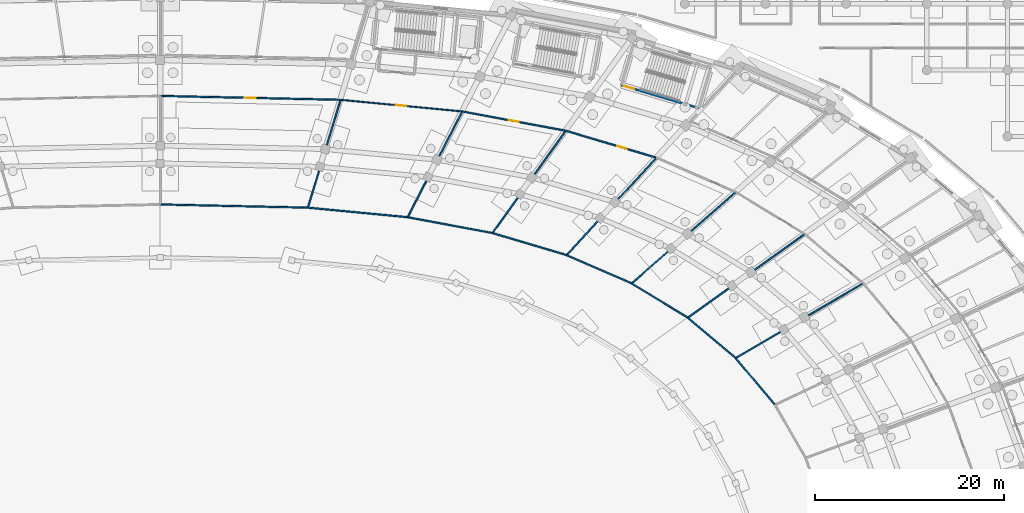
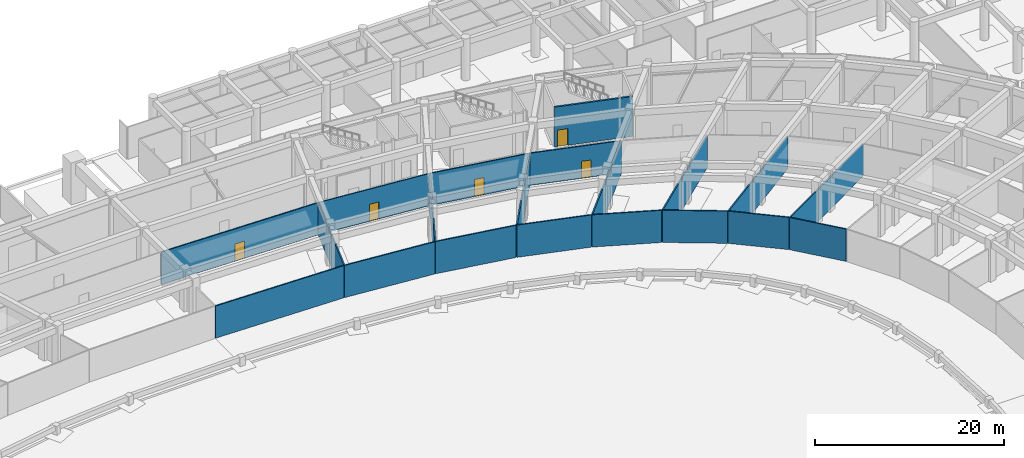
# One storey, part 60 of 88: 20 walls, 5 doors, 5 openings.
"""IFC4 building model written with IfcOpenShell, lengths in metres."""

from ifc_helpers import new_model, si_unit, direction, frame, frame_2d, origin, place, context, subcontext, project, spatial, rectangle, extrude, material, layer, layer_set, type_object, element, fill, save


model = new_model("IFC4")

# Units and contexts
model_context = context("Model", 3, precision=1e-05, world=origin(), true_north=direction((0.0, 1.0)))
body_context = subcontext(model_context, "Body", "Model", "MODEL_VIEW")
ifc_project = project(units=[si_unit("LENGTHUNIT", "METRE"), si_unit("AREAUNIT", "SQUARE_METRE"), si_unit("VOLUMEUNIT", "CUBIC_METRE"), si_unit("PLANEANGLEUNIT", "RADIAN"), si_unit("MASSUNIT", "GRAM", prefix="KILO")], contexts=[model_context])

# Site, building, storey
site_placement = place(None, origin())
site = spatial("IfcSite", under=ifc_project, at=site_placement, CompositionType="ELEMENT")
building_placement = place(site_placement, origin())
building = spatial("IfcBuilding", under=site, at=building_placement, Name="Mphavela Belvedere Stadium", CompositionType="ELEMENT")
storey_placement = place(building_placement, origin())
storey = spatial("IfcBuildingStorey", under=building, at=storey_placement, Name="L00", CompositionType="ELEMENT", Elevation=0.0)

# Wall, opening, door
ifc_material_1 = material(Name="Concrete C40/50", Category="concrete")
ifc_layer_1 = layer(ifc_material_1, 0.219970703125)
ifc_layer_set_1 = layer_set([ifc_layer_1], Name="Concrete C40/50")
wall_type_1 = type_object("IfcWallType", Name="WAL-CORE-SHEAR-220", PredefinedType="SHEAR", material=ifc_layer_set_1)
wall_1_placement = place(storey_placement, frame((163.6630859375, 151.416015625, 0.0), z_axis=(0.0, 0.0, 1.0), x_axis=(0.958665631999, -0.284535069937, 0.0)))
wall_1 = element("IfcWall", 1, at=wall_1_placement, inside=storey, type_object=wall_type_1, Name="Core P01 shear wall L00 front", PredefinedType="SHEAR", context=body_context, shape_type="SweptSolid", body=[
    extrude(rectangle(XDim=8.5400390625, YDim=0.219970703125, at=frame_2d((4.27001953125, 0.0))), origin(), (0.0, 0.0, 1.0), 5.14990234375),
])
opening_1_placement = place(wall_1_placement, frame((0.300048828125, 0.0, 0.0)))
opening_1 = element("IfcOpeningElement", 2, at=opening_1_placement, cuts=wall_1, Name="Opening SD-067", PredefinedType="OPENING", context=body_context, shape_type="SweptSolid", body=[
    extrude(rectangle(XDim=1.14990234375, YDim=2.14990234375, at=frame_2d((0.574951171875, 1.074951171875))), frame((0.0, 0.1201171875, 0.0), z_axis=(0.0, -1.0, 0.0), x_axis=(1.0, 0.0, 0.0)), (0.0, 0.0, 1.0), 0.239990234375),
])
ifc_material_2 = material(Name="Steel acoustic fire-resisting stair doorset", Category="steel")
door_type_1 = type_object("IfcDoorType", Name="DR-STAIR-FIRE-1150", OperationType="NOTDEFINED", PredefinedType="DOOR", material=ifc_material_2)
door_1_placement = place(opening_1_placement, origin())
door_1 = element("IfcDoor", 3, at=door_1_placement, inside=storey, type_object=door_type_1, Name="Escape stair fire door P01 L00", OperationType="SINGLE_SWING_LEFT", OverallHeight=2.14990234375, OverallWidth=1.14990234375, PredefinedType="DOOR", context=body_context, shape_type="SweptSolid", body=[
    extrude(rectangle(XDim=1.14990234375, YDim=2.14990234375, at=frame_2d((0.574951171875, 1.074951171875))), frame((0.0, 0.02490234375, 0.0), z_axis=(0.0, -1.0, 0.0), x_axis=(1.0, 0.0, 0.0)), (0.0, 0.0, 1.0), 0.050048828125),
])
fill(opening_1, door_1)

ifc_material_3 = material(Name="Moisture-resistant sanitary partition assembly")
ifc_layer_2 = layer(ifc_material_3, 0.125)
ifc_layer_set_2 = layer_set([ifc_layer_2], Name="Moisture-resistant sanitary partition assembly")
wall_type_2 = type_object("IfcWallType", Name="WAL-PART-125", PredefinedType="PARTITIONING", material=ifc_layer_set_2)
wall_2_placement = place(storey_placement, frame((134.034912109375, 149.8623046875, 0.0), z_axis=(0.0, 0.0, 1.0), x_axis=(0.995485111947, -0.094917816515, 0.0)))
wall_2 = element("IfcWall", 4, at=wall_2_placement, inside=storey, type_object=wall_type_2, Name="Room L00-61 corridor partition", PredefinedType="PARTITIONING", context=body_context, shape_type="SweptSolid", body=[
    extrude(rectangle(XDim=12.822021484375, YDim=0.125, at=frame_2d((6.4111328125, 0.0))), origin(), (0.0, 0.0, 1.0), 4.14990234375),
])
opening_2_placement = place(wall_2_placement, frame((5.861083984375, 0.0, 0.0)))
opening_2 = element("IfcOpeningElement", 5, at=opening_2_placement, cuts=wall_2, Name="Opening ID-018", PredefinedType="OPENING", context=body_context, shape_type="SweptSolid", body=[
    extrude(rectangle(XDim=1.10009765625, YDim=2.199951171875, at=frame_2d((0.550048828125, 1.10009765625))), frame((0.0, 0.072509765625, 0.0), z_axis=(0.0, -1.0, 0.0), x_axis=(1.0, 0.0, 0.0)), (0.0, 0.0, 1.0), 0.14501953125),
])
ifc_material_4 = material(Name="Hardwood acoustic timber doorset", Category="wood")
door_type_2 = type_object("IfcDoorType", Name="DR-INT-18", OperationType="NOTDEFINED", PredefinedType="DOOR", material=ifc_material_4)
door_2_placement = place(opening_2_placement, origin())
door_2 = element("IfcDoor", 6, at=door_2_placement, inside=storey, type_object=door_type_2, Name="Room L00-61 entrance door ID-018", OperationType="SINGLE_SWING_RIGHT", OverallHeight=2.199951171875, OverallWidth=1.10009765625, PredefinedType="DOOR", context=body_context, shape_type="SweptSolid", body=[
    extrude(rectangle(XDim=1.10009765625, YDim=2.199951171875, at=frame_2d((0.550048828125, 1.10009765625))), frame((0.0, 0.02490234375, 0.0), z_axis=(0.0, -1.0, 0.0), x_axis=(1.0, 0.0, 0.0)), (0.0, 0.0, 1.0), 0.050048828125),
])
fill(opening_2, door_2)

ifc_material_5 = material(Name="Acoustic gypsum stud partition assembly")
ifc_layer_3 = layer(ifc_material_5, 0.14990234375)
ifc_layer_set_3 = layer_set([ifc_layer_3], Name="Acoustic gypsum stud partition assembly")
wall_type_3 = type_object("IfcWallType", Name="WAL-PART-150", PredefinedType="PARTITIONING", material=ifc_layer_set_3)
wall_3_placement = place(storey_placement, frame((157.816650390625, 146.595703125, 0.0), z_axis=(0.0, 0.0, 1.0), x_axis=(0.958655809656, -0.284568161629, 0.0)))
wall_3 = element("IfcWall", 7, at=wall_3_placement, inside=storey, type_object=wall_type_3, Name="Room L00-57 corridor partition", PredefinedType="PARTITIONING", context=body_context, shape_type="SweptSolid", body=[
    extrude(rectangle(XDim=9.89111328125, YDim=0.14990234375, at=frame_2d((4.945556640625, 0.0))), origin(), (0.0, 0.0, 1.0), 4.14990234375),
])
opening_3_placement = place(wall_3_placement, frame((5.670166015625, 0.0, 0.0)))
opening_3 = element("IfcOpeningElement", 8, at=opening_3_placement, cuts=wall_3, Name="Opening ID-016", PredefinedType="OPENING", context=body_context, shape_type="SweptSolid", body=[
    extrude(rectangle(XDim=1.02001953125, YDim=2.199951171875, at=frame_2d((0.510009765625, 1.10009765625))), frame((0.0, 0.0849609375, 0.0), z_axis=(0.0, -1.0, 0.0), x_axis=(1.0, 0.0, 0.0)), (0.0, 0.0, 1.0), 0.169921875),
])
ifc_material_6 = material(Name="Hardwood acoustic timber doorset", Category="wood")
door_type_3 = type_object("IfcDoorType", Name="DR-INT-16", OperationType="NOTDEFINED", PredefinedType="DOOR", material=ifc_material_6)
door_3_placement = place(opening_3_placement, origin())
door_3 = element("IfcDoor", 9, at=door_3_placement, inside=storey, type_object=door_type_3, Name="Room L00-57 entrance door ID-016", OperationType="SINGLE_SWING_RIGHT", OverallHeight=2.199951171875, OverallWidth=1.02001953125, PredefinedType="DOOR", context=body_context, shape_type="SweptSolid", body=[
    extrude(rectangle(XDim=1.02001953125, YDim=2.199951171875, at=frame_2d((0.510009765625, 1.10009765625))), frame((0.0, 0.02490234375, 0.0), z_axis=(0.0, -1.0, 0.0), x_axis=(1.0, 0.0, 0.0)), (0.0, 0.0, 1.0), 0.050048828125),
])
fill(opening_3, door_3)

wall_4_placement = place(storey_placement, frame((146.883544921875, 148.634521484375, 0.0), z_axis=(0.0, 0.0, 1.0), x_axis=(0.983097372707, -0.183083466695, 0.0)))
wall_4 = element("IfcWall", 10, at=wall_4_placement, inside=storey, type_object=wall_type_3, Name="Room L00-59 corridor partition", PredefinedType="PARTITIONING", context=body_context, shape_type="SweptSolid", body=[
    extrude(rectangle(XDim=11.03466796875, YDim=0.14990234375, at=frame_2d((5.517333984375, 0.0))), origin(), (0.0, 0.0, 1.0), 4.14990234375),
])
opening_4_placement = place(wall_4_placement, frame((4.9873046875, 0.0, 0.0)))
opening_4 = element("IfcOpeningElement", 11, at=opening_4_placement, cuts=wall_4, Name="Opening ID-017", PredefinedType="OPENING", context=body_context, shape_type="SweptSolid", body=[
    extrude(rectangle(XDim=1.06005859375, YDim=2.199951171875, at=frame_2d((0.530029296875, 1.10009765625))), frame((0.0, 0.0849609375, 0.0), z_axis=(0.0, -1.0, 0.0), x_axis=(1.0, 0.0, 0.0)), (0.0, 0.0, 1.0), 0.169921875),
])
ifc_material_7 = material(Name="Hardwood acoustic timber doorset", Category="wood")
door_type_4 = type_object("IfcDoorType", Name="DR-INT-17", OperationType="NOTDEFINED", PredefinedType="DOOR", material=ifc_material_7)
door_4_placement = place(opening_4_placement, origin())
door_4 = element("IfcDoor", 12, at=door_4_placement, inside=storey, type_object=door_type_4, Name="Room L00-59 entrance door ID-017", OperationType="SINGLE_SWING_LEFT", OverallHeight=2.199951171875, OverallWidth=1.06005859375, PredefinedType="DOOR", context=body_context, shape_type="SweptSolid", body=[
    extrude(rectangle(XDim=1.06005859375, YDim=2.199951171875, at=frame_2d((0.530029296875, 1.10009765625))), frame((0.0, 0.02490234375, 0.0), z_axis=(0.0, -1.0, 0.0), x_axis=(1.0, 0.0, 0.0)), (0.0, 0.0, 1.0), 0.050048828125),
])
fill(opening_4, door_4)

wall_5_placement = place(storey_placement, frame((115.0400390625, 150.273681640625, 0.0), z_axis=(0.0, 0.0, 1.0), x_axis=(0.999768266483, -0.021527037261, 0.0)))
wall_5 = element("IfcWall", 13, at=wall_5_placement, inside=storey, type_object=wall_type_3, Name="Room L00-63 corridor partition", PredefinedType="PARTITIONING", context=body_context, shape_type="SweptSolid", body=[
    extrude(rectangle(XDim=18.9169921875, YDim=0.14990234375, at=frame_2d((9.45849609375, 0.0))), origin(), (0.0, 0.0, 1.0), 4.14990234375),
])
opening_5_placement = place(wall_5_placement, frame((8.888427734375, 0.0, 0.0)))
opening_5 = element("IfcOpeningElement", 14, at=opening_5_placement, cuts=wall_5, Name="Opening ID-019", PredefinedType="OPENING", context=body_context, shape_type="SweptSolid", body=[
    extrude(rectangle(XDim=1.139892578125, YDim=2.199951171875, at=frame_2d((0.56982421875, 1.10009765625))), frame((0.0, 0.0849609375, 0.0), z_axis=(0.0, -1.0, 0.0), x_axis=(1.0, 0.0, 0.0)), (0.0, 0.0, 1.0), 0.169921875),
])
ifc_material_8 = material(Name="Hardwood acoustic timber doorset", Category="wood")
door_type_5 = type_object("IfcDoorType", Name="DR-INT-19", OperationType="NOTDEFINED", PredefinedType="DOOR", material=ifc_material_8)
door_5_placement = place(opening_5_placement, origin())
door_5 = element("IfcDoor", 15, at=door_5_placement, inside=storey, type_object=door_type_5, Name="Room L00-63 entrance door ID-019", OperationType="SINGLE_SWING_LEFT", OverallHeight=2.199951171875, OverallWidth=1.139892578125, PredefinedType="DOOR", context=body_context, shape_type="SweptSolid", body=[
    extrude(rectangle(XDim=1.139892578125, YDim=2.199951171875, at=frame_2d((0.56982421875, 1.10009765625))), frame((0.0, 0.02490234375, 0.0), z_axis=(0.0, -1.0, 0.0), x_axis=(1.0, 0.0, 0.0)), (0.0, 0.0, 1.0), 0.050048828125),
])
fill(opening_5, door_5)

# Walls
wall_6_placement = place(storey_placement, frame((179.841552734375, 117.73583984375, 0.0), z_axis=(0.0, 0.0, 1.0), x_axis=(-0.645182313149, 0.764028653127, 0.0)))
element("IfcWall", 16, at=wall_6_placement, inside=storey, type_object=wall_type_3, Name="Room divider partition L00-0014", PredefinedType="PARTITIONING", context=body_context, shape_type="SweptSolid", body=[
    extrude(rectangle(XDim=6.353759765625, YDim=0.14990234375, at=frame_2d((3.1767578125, 0.0))), origin(), (0.0, 0.0, 1.0), 4.14990234375),
])
wall_7_placement = place(storey_placement, frame((175.7421875, 122.59033203125, 0.0), z_axis=(0.0, 0.0, 1.0), x_axis=(0.86252080612, 0.506021599351, 0.0)))
element("IfcWall", 17, at=wall_7_placement, inside=storey, type_object=wall_type_3, Name="Room divider partition L00-0015", PredefinedType="PARTITIONING", context=body_context, shape_type="SweptSolid", body=[
    extrude(rectangle(XDim=15.594970703125, YDim=0.14990234375, at=frame_2d((7.79736328125, 0.0))), origin(), (0.0, 0.0, 1.0), 4.14990234375),
])
wall_8_placement = place(storey_placement, frame((175.685302734375, 122.649658203125, 0.0), z_axis=(0.0, 0.0, 1.0), x_axis=(-0.764256908649, 0.644911914592, 0.0)))
element("IfcWall", 18, at=wall_8_placement, inside=storey, type_object=wall_type_3, Name="Room divider partition L00-0017", PredefinedType="PARTITIONING", context=body_context, shape_type="SweptSolid", body=[
    extrude(rectangle(XDim=6.525634765625, YDim=0.14990234375, at=frame_2d((3.2626953125, 0.0))), origin(), (0.0, 0.0, 1.0), 4.14990234375),
])
wall_9_placement = place(storey_placement, frame((170.697998046875, 126.858154296875, 0.0), z_axis=(0.0, 0.0, 1.0), x_axis=(0.812883175227, 0.582426770876, 0.0)))
element("IfcWall", 19, at=wall_9_placement, inside=storey, type_object=wall_type_3, Name="Room divider partition L00-0018", PredefinedType="PARTITIONING", context=body_context, shape_type="SweptSolid", body=[
    extrude(rectangle(XDim=15.167236328125, YDim=0.14990234375, at=frame_2d((7.58349609375, 0.0))), origin(), (0.0, 0.0, 1.0), 4.14990234375),
])
wall_10_placement = place(storey_placement, frame((170.631103515625, 126.90869140625, 0.0), z_axis=(0.0, 0.0, 1.0), x_axis=(-0.8543356111, 0.519721717467, 0.0)))
element("IfcWall", 20, at=wall_10_placement, inside=storey, type_object=wall_type_3, Name="Room divider partition L00-0020", PredefinedType="PARTITIONING", context=body_context, shape_type="SweptSolid", body=[
    extrude(rectangle(XDim=6.878173828125, YDim=0.14990234375, at=frame_2d((3.43896484375, 0.0))), origin(), (0.0, 0.0, 1.0), 4.14990234375),
])
wall_11_placement = place(storey_placement, frame((164.7548828125, 130.4833984375, 0.0), z_axis=(0.0, 0.0, 1.0), x_axis=(0.75255911769, 0.658524695346, 0.0)))
element("IfcWall", 21, at=wall_11_placement, inside=storey, type_object=wall_type_3, Name="Room divider partition L00-0021", PredefinedType="PARTITIONING", context=body_context, shape_type="SweptSolid", body=[
    extrude(rectangle(XDim=14.62744140625, YDim=0.14990234375, at=frame_2d((7.313720703125, 0.0))), origin(), (0.0, 0.0, 1.0), 4.14990234375),
])
wall_12_placement = place(storey_placement, frame((164.68017578125, 130.5244140625, 0.0), z_axis=(0.0, 0.0, 1.0), x_axis=(-0.917502611666, 0.397729754463, 0.0)))
element("IfcWall", 22, at=wall_12_placement, inside=storey, type_object=wall_type_3, Name="Room divider partition L00-0023", PredefinedType="PARTITIONING", context=body_context, shape_type="SweptSolid", body=[
    extrude(rectangle(XDim=7.3935546875, YDim=0.14990234375, at=frame_2d((3.69677734375, 0.0))), origin(), (0.0, 0.0, 1.0), 4.14990234375),
])
wall_13_placement = place(storey_placement, frame((157.896484375, 133.465087890625, 0.0), z_axis=(0.0, 0.0, 1.0), x_axis=(0.677851738249, 0.735198626871, 0.0)))
element("IfcWall", 23, at=wall_13_placement, inside=storey, type_object=wall_type_3, Name="Room divider partition L00-0024", PredefinedType="PARTITIONING", context=body_context, shape_type="SweptSolid", body=[
    extrude(rectangle(XDim=13.99365234375, YDim=0.14990234375, at=frame_2d((6.996826171875, 0.0))), origin(), (0.0, 0.0, 1.0), 4.14990234375),
])
wall_14_placement = place(storey_placement, frame((157.81640625, 133.496337890625, 0.0), z_axis=(0.0, 0.0, 1.0), x_axis=(-0.958664246127, 0.284539739226, 0.0)))
element("IfcWall", 24, at=wall_14_placement, inside=storey, type_object=wall_type_3, Name="Room divider partition L00-0028", PredefinedType="PARTITIONING", context=body_context, shape_type="SweptSolid", body=[
    extrude(rectangle(XDim=8.08349609375, YDim=0.14990234375, at=frame_2d((4.041748046875, 0.0))), origin(), (0.0, 0.0, 1.0), 4.14990234375),
])
wall_15_placement = place(storey_placement, frame((150.067138671875, 135.79638671875, 0.0), z_axis=(0.0, 0.0, 1.0), x_axis=(0.583015953896, 0.812460705205, 0.0)))
element("IfcWall", 25, at=wall_15_placement, inside=storey, type_object=wall_type_3, Name="Room divider partition L00-0029", PredefinedType="PARTITIONING", context=body_context, shape_type="SweptSolid", body=[
    extrude(rectangle(XDim=13.2919921875, YDim=0.14990234375, at=frame_2d((6.64599609375, 0.0))), origin(), (0.0, 0.0, 1.0), 4.14990234375),
])
wall_16_placement = place(storey_placement, frame((149.984130859375, 135.818115234375, 0.0), z_axis=(0.0, 0.0, 1.0), x_axis=(-0.983094830755, 0.183097115603, 0.0)))
element("IfcWall", 26, at=wall_16_placement, inside=storey, type_object=wall_type_3, Name="Room divider partition L00-0030", PredefinedType="PARTITIONING", context=body_context, shape_type="SweptSolid", body=[
    extrude(rectangle(XDim=9.0205078125, YDim=0.14990234375, at=frame_2d((4.51025390625, 0.0))), origin(), (0.0, 0.0, 1.0), 4.14990234375),
])
wall_17_placement = place(storey_placement, frame((141.1162109375, 137.4697265625, 0.0), z_axis=(0.0, 0.0, 1.0), x_axis=(0.45894823356, 0.88846300931, 0.0)))
element("IfcWall", 27, at=wall_17_placement, inside=storey, type_object=wall_type_3, Name="Room divider partition L00-0031", PredefinedType="PARTITIONING", context=body_context, shape_type="SweptSolid", body=[
    extrude(rectangle(XDim=12.56640625, YDim=0.14990234375, at=frame_2d((6.283203125, 0.0))), origin(), (0.0, 0.0, 1.0), 4.14990234375),
])
wall_18_placement = place(storey_placement, frame((141.03271484375, 137.482666015625, 0.0), z_axis=(0.0, 0.0, 1.0), x_axis=(-0.99548363917, 0.094933261529, 0.0)))
element("IfcWall", 28, at=wall_18_placement, inside=storey, type_object=wall_type_3, Name="Room divider partition L00-0032", PredefinedType="PARTITIONING", context=body_context, shape_type="SweptSolid", body=[
    extrude(rectangle(XDim=10.48486328125, YDim=0.14990234375, at=frame_2d((5.242431640625, 0.0))), origin(), (0.0, 0.0, 1.0), 4.14990234375),
])
wall_19_placement = place(storey_placement, frame((130.59521484375, 138.47802734375, 0.0), z_axis=(0.0, 0.0, 1.0), x_axis=(0.289230709122, 0.957259419855, 0.0)))
element("IfcWall", 29, at=wall_19_placement, inside=storey, type_object=wall_type_3, Name="Room divider partition L00-0033", PredefinedType="PARTITIONING", context=body_context, shape_type="SweptSolid", body=[
    extrude(rectangle(XDim=11.892578125, YDim=0.14990234375, at=frame_2d((5.9462890625, 0.0))), origin(), (0.0, 0.0, 1.0), 4.14990234375),
])
wall_20_placement = place(storey_placement, frame((130.51318359375, 138.4833984375, 0.0), z_axis=(0.0, 0.0, 1.0), x_axis=(-0.999768149952, 0.021532448558, 0.0)))
element("IfcWall", 30, at=wall_20_placement, inside=storey, type_object=wall_type_3, Name="Room divider partition L00-0034", PredefinedType="PARTITIONING", context=body_context, shape_type="SweptSolid", body=[
    extrude(rectangle(XDim=15.476806640625, YDim=0.14990234375, at=frame_2d((7.73828125, 0.0))), origin(), (0.0, 0.0, 1.0), 4.14990234375),
])

save(model, "model.ifc")
